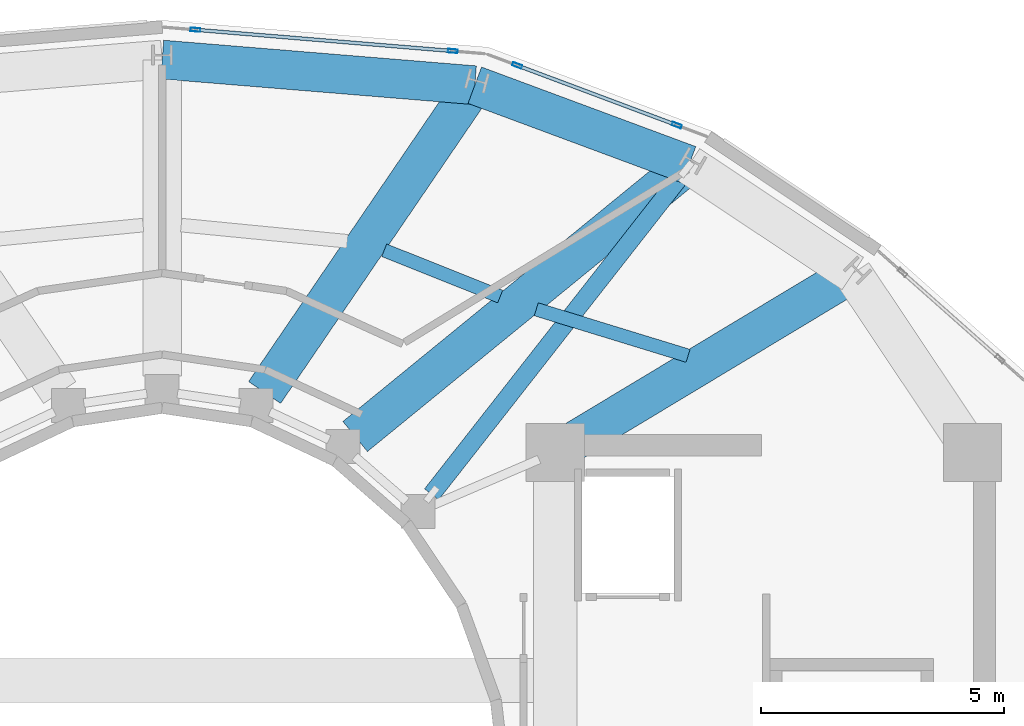
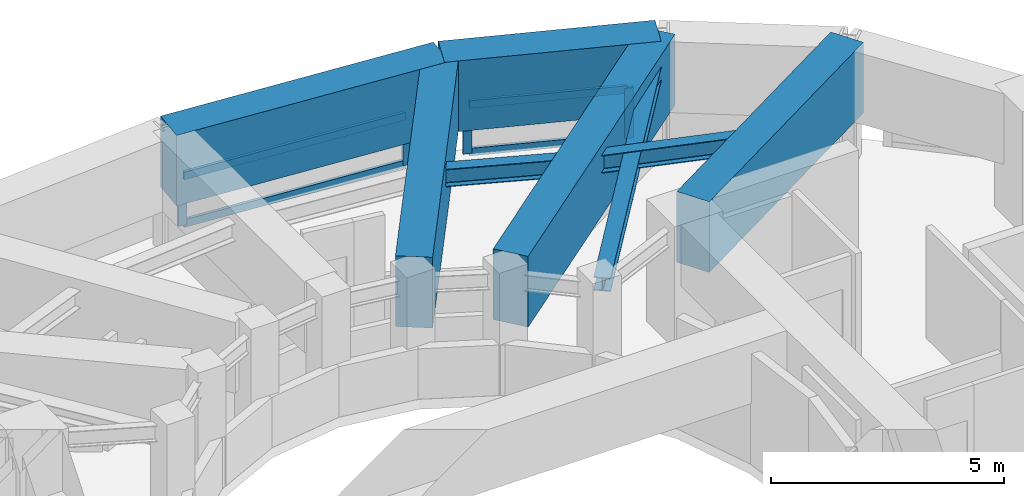
# One storey, part 10 of 18: 9 members, 7 beams, 2 elements without a shape of their own.
"""IFC4 building model written with IfcOpenShell, lengths in metres."""

from ifc_helpers import new_model, si_unit, direction, frame, origin, origin_2d, place, context, subcontext, project, spatial, rectangle, hollow_rectangle, i_section, extrude, material, layer, layer_set, material_profile, profile_set, type_object, element, aggregate, save


model = new_model("IFC4")

# Units and contexts
model_context = context("Model", 3, precision=1e-05, world=origin(), true_north=direction((0.0, 1.0)))
body_context = subcontext(model_context, "Body", "Model", "MODEL_VIEW")
ifc_project = project(units=[si_unit("LENGTHUNIT", "METRE"), si_unit("AREAUNIT", "SQUARE_METRE"), si_unit("VOLUMEUNIT", "CUBIC_METRE"), si_unit("PLANEANGLEUNIT", "RADIAN"), si_unit("MASSUNIT", "GRAM", prefix="KILO")], contexts=[model_context])

# Site, building, storey
site_placement = place(None, origin())
site = spatial("IfcSite", under=ifc_project, at=site_placement, CompositionType="ELEMENT")
building_placement = place(site_placement, origin())
building = spatial("IfcBuilding", under=site, at=building_placement, Name="Solvane Sanctuary Tower", CompositionType="ELEMENT")
storey_placement = place(building_placement, frame((0.0, 0.0, 263.60009765625)))
storey = spatial("IfcBuildingStorey", under=building, at=storey_placement, Name="L80", CompositionType="ELEMENT", Elevation=263.60009765625)

# Beams
ifc_material_1 = material(Name="Steel ASTM A992 Grade 50", Category="steel")
ifc_material_profile_1 = material_profile(ifc_material_1, i_section(OverallWidth=0.280029296875, OverallDepth=0.462890625, WebThickness=0.0107421875, FlangeThickness=0.017333984375, FilletRadius=0.013916015625, at=origin_2d()), Name="W18X76")
ifc_profile_set_1 = profile_set([ifc_material_profile_1], Name="Steel ASTM A992 Grade 50")
beam_type_1 = type_object("IfcBeamType", Name="Beam B-SEC-JOIST W18X76", PredefinedType="JOIST", material=ifc_profile_set_1)
beam_1_placement = place(storey_placement, frame((36.57666015625, 34.367919921875, 2.706298828125), z_axis=(0.928646716037, -0.370965330987, 0.0), x_axis=(0.370965330987, 0.928646716037, 0.0)))
element("IfcBeam", 1, at=beam_1_placement, inside=storey, type_object=beam_type_1, Name="L80 Secondary Circumferential Joist 03-02", PredefinedType="JOIST", context=body_context, shape_type="SweptSolid", body=[
    extrude(i_section(OverallWidth=0.280029296875, OverallDepth=0.462890625, WebThickness=0.0107421875, FlangeThickness=0.017333984375, FilletRadius=0.013916015625, at=origin_2d()), origin(), (0.0, 0.0, 1.0), 2.5732421875),
])
beam_2_placement = place(storey_placement, frame((39.710693359375, 33.151123046875, 2.706298828125), z_axis=(0.956067313295, -0.293147219755, 0.0), x_axis=(0.293147219755, 0.956067313295, 0.0)))
element("IfcBeam", 2, at=beam_2_placement, inside=storey, type_object=beam_type_1, Name="L80 Secondary Circumferential Joist 02-01", PredefinedType="JOIST", context=body_context, shape_type="SweptSolid", body=[
    extrude(i_section(OverallWidth=0.280029296875, OverallDepth=0.462890625, WebThickness=0.0107421875, FlangeThickness=0.017333984375, FilletRadius=0.013916015625, at=origin_2d()), origin(), (0.0, 0.0, 1.0), 3.272216796875),
])
ifc_material_2 = material(Name="Concrete C70/85", Category="concrete")
ifc_material_profile_2 = material_profile(ifc_material_2, rectangle(XDim=0.800048828125, YDim=1.85009765625, at=origin_2d()), Name="RC800X1850")
ifc_profile_set_2 = profile_set([ifc_material_profile_2], Name="Concrete C70/85")
beam_type_2 = type_object("IfcBeamType", Name="Beam B-XFER-BLK RC800X1850", PredefinedType="BEAM", material=ifc_profile_set_2)
beam_3_placement = place(storey_placement, frame((40.408447265625, 30.3857421875, 2.27490234375), z_axis=(0.856761950068, 0.515712091108, 0.0), x_axis=(-0.515712091108, 0.856761950068, 0.0)))
element("IfcBeam", 3, at=beam_3_placement, inside=storey, type_object=beam_type_2, Name="L80 Block-Shift Radial Transfer Girder 01A", PredefinedType="BEAM", context=body_context, shape_type="SweptSolid", body=[
    extrude(rectangle(XDim=0.800048828125, YDim=1.85009765625, at=origin_2d()), origin(), (0.0, 0.0, 1.0), 6.815673828125),
])
beam_4_placement = place(storey_placement, frame((35.977783203125, 30.52880859375, 2.27490234375), z_axis=(0.774760127624, 0.632255284394, 0.0), x_axis=(-0.632255284394, 0.774760127624, 0.0)))
element("IfcBeam", 4, at=beam_4_placement, inside=storey, type_object=beam_type_2, Name="L80 Block-Shift Radial Transfer Girder 02A", PredefinedType="BEAM", context=body_context, shape_type="SweptSolid", body=[
    extrude(rectangle(XDim=0.800048828125, YDim=1.85009765625, at=origin_2d()), origin(), (0.0, 0.0, 1.0), 8.88134765625),
])
beam_5_placement = place(storey_placement, frame((34.111083984375, 31.43603515625, 2.27490234375), z_axis=(0.563314112338, 0.826242828012, 0.0), x_axis=(-0.826242828012, 0.563314112338, 0.0)))
element("IfcBeam", 5, at=beam_5_placement, inside=storey, type_object=beam_type_2, Name="L80 Block-Shift Radial Transfer Girder 03A", PredefinedType="BEAM", context=body_context, shape_type="SweptSolid", body=[
    extrude(rectangle(XDim=0.800048828125, YDim=1.85009765625, at=origin_2d()), origin(), (0.0, 0.0, 1.0), 7.671630859375),
])
beam_6_placement = place(storey_placement, frame((32.0, 38.298095703125, 2.27490234375), z_axis=(0.996652479026, -0.081754731068, 0.0), x_axis=(0.081754731068, 0.996652479026, 0.0)))
element("IfcBeam", 6, at=beam_6_placement, inside=storey, type_object=beam_type_2, Name="L80 Perimeter Step Transfer Ring NTC04-NTC03", PredefinedType="BEAM", context=body_context, shape_type="SweptSolid", body=[
    extrude(rectangle(XDim=0.800048828125, YDim=1.85009765625, at=origin_2d()), origin(), (0.0, 0.0, 1.0), 6.46533203125),
])
beam_7_placement = place(storey_placement, frame((38.443603515625, 37.76953125, 2.27490234375), z_axis=(0.937427688281, -0.348180024188, 0.0), x_axis=(0.348180024188, 0.937427688281, 0.0)))
element("IfcBeam", 7, at=beam_7_placement, inside=storey, type_object=beam_type_2, Name="L80 Perimeter Step Transfer Ring NTC03-NTC02", PredefinedType="BEAM", context=body_context, shape_type="SweptSolid", body=[
    extrude(rectangle(XDim=0.800048828125, YDim=1.85009765625, at=origin_2d()), origin(), (0.0, 0.0, 1.0), 4.711181640625),
])

# Member
ifc_material_profile_3 = material_profile(ifc_material_1, i_section(OverallWidth=0.368896484375, OverallDepth=0.35595703125, WebThickness=0.01123046875, FlangeThickness=0.01806640625, FilletRadius=0.02490234375, at=origin_2d()), Name="W14X90")
ifc_profile_set_3 = profile_set([ifc_material_profile_3], Name="Steel ASTM A992 Grade 50")
member_type_1 = type_object("IfcMemberType", Name="Member M-CROWN-TIE W14X90", PredefinedType="CHORD", material=ifc_profile_set_3)
member_1_placement = place(storey_placement, frame((37.555419921875, 29.33984375, 2.540283203125), z_axis=(0.61657715967, 0.786962266432, 0.022869136088), x_axis=(-0.787168136792, 0.616738457062, 0.0)))
element("IfcMember", 8, at=member_1_placement, inside=storey, type_object=member_type_1, Name="L80 Crown Bracing Tie 01", PredefinedType="CHORD", context=body_context, shape_type="SweptSolid", body=[
    extrude(i_section(OverallWidth=0.368896484375, OverallDepth=0.35595703125, WebThickness=0.01123046875, FlangeThickness=0.01806640625, FilletRadius=0.02490234375, at=origin_2d()), origin(), (0.0, 0.0, 1.0), 8.50830078125),
])

# Curtain wall, members
ifc_material_3 = material(Name="Anodised Aluminium 6063-T6", Category="aluminium")
ifc_layer = layer(ifc_material_3, 0.219970703125, Name="Anodised Aluminium 6063-T6")
ifc_layer_set = layer_set([ifc_layer], Name="Anodised Aluminium 6063-T6")
curtain_wall_type = type_object("IfcCurtainWallType", Name="Curtain Wall CW-CROWN", PredefinedType="NOTDEFINED", material=ifc_layer_set)
curtain_wall_1_placement = place(storey_placement, origin())
curtain_wall_1 = element("IfcCurtainWall", 9, at=curtain_wall_1_placement, inside=storey, type_object=curtain_wall_type, Name="L80 Crown Fritted Lantern Curtain Wall 04", PredefinedType="NOTDEFINED")
ifc_material_profile_4 = material_profile(ifc_material_3, hollow_rectangle(XDim=0.074951171875, YDim=0.199951171875, WallThickness=0.00390625, at=origin_2d()), Name="ALU200X75X4")
ifc_profile_set_4 = profile_set([ifc_material_profile_4], Name="Anodised Aluminium 6063-T6")
member_type_2 = type_object("IfcMemberType", Name="Member M-CW-MUL-1 ALU200X75X4", PredefinedType="MULLION", material=ifc_profile_set_4)
member_2_placement = place(storey_placement, frame((42.607177734375, 36.946044921875, 0.0), z_axis=(0.0, 0.0, 1.0), x_axis=(-0.350518151106, -0.936555938396, 0.0)))
member_2 = element("IfcMember", 10, at=member_2_placement, type_object=member_type_2, Name="CW-CROWN mullion 1", PredefinedType="MULLION", context=body_context, shape_type="SweptSolid", body=[
    extrude(hollow_rectangle(XDim=0.074951171875, YDim=0.199951171875, WallThickness=0.00390625, at=origin_2d()), origin(), (0.0, 0.0, 1.0), 1.31982421875),
])
member_3_placement = place(storey_placement, frame((39.319580078125, 38.17626953125, 0.0), z_axis=(0.0, 0.0, 1.0), x_axis=(-0.350518151106, -0.936555938396, 0.0)))
member_3 = element("IfcMember", 11, at=member_3_placement, type_object=member_type_2, Name="CW-CROWN mullion 2", PredefinedType="MULLION", context=body_context, shape_type="SweptSolid", body=[
    extrude(hollow_rectangle(XDim=0.074951171875, YDim=0.199951171875, WallThickness=0.00390625, at=origin_2d()), origin(), (0.0, 0.0, 1.0), 1.31982421875),
])

curtain_wall_2_placement = place(storey_placement, origin())
curtain_wall_2 = element("IfcCurtainWall", 12, at=curtain_wall_2_placement, inside=storey, type_object=curtain_wall_type, Name="L80 Crown Fritted Lantern Curtain Wall 05", PredefinedType="NOTDEFINED")
member_4_placement = place(storey_placement, frame((37.990478515625, 38.473876953125, 0.0), z_axis=(0.0, 0.0, 1.0), x_axis=(-0.082375536663, -0.996601360103, 0.0)))
member_4 = element("IfcMember", 13, at=member_4_placement, type_object=member_type_2, Name="CW-CROWN mullion 1", PredefinedType="MULLION", context=body_context, shape_type="SweptSolid", body=[
    extrude(hollow_rectangle(XDim=0.074951171875, YDim=0.199951171875, WallThickness=0.00390625, at=origin_2d()), origin(), (0.0, 0.0, 1.0), 1.31982421875),
])
member_5_placement = place(storey_placement, frame((32.68505859375, 38.912353515625, 0.0), z_axis=(0.0, 0.0, 1.0), x_axis=(-0.082375536663, -0.996601360103, 0.0)))
member_5 = element("IfcMember", 14, at=member_5_placement, type_object=member_type_2, Name="CW-CROWN mullion 2", PredefinedType="MULLION", context=body_context, shape_type="SweptSolid", body=[
    extrude(hollow_rectangle(XDim=0.074951171875, YDim=0.199951171875, WallThickness=0.00390625, at=origin_2d()), origin(), (0.0, 0.0, 1.0), 1.31982421875),
])

# Member
ifc_material_profile_5 = material_profile(ifc_material_3, hollow_rectangle(XDim=0.074951171875, YDim=0.199951171875, WallThickness=0.00390625, at=origin_2d()), Name="ALU200X75X4")
ifc_profile_set_5 = profile_set([ifc_material_profile_5], Name="Anodised Aluminium 6063-T6")
member_type_3 = type_object("IfcMemberType", Name="Member M-CW-TRN-2 ALU200X75X4", PredefinedType="USERDEFINED", material=ifc_profile_set_5)
member_6_placement = place(storey_placement, frame((42.572021484375, 36.958984375, 0.037353515625), z_axis=(-0.936533460905, 0.350578203266, 0.0), x_axis=(-0.350578203266, -0.936533460905, 0.0)))
member_6 = element("IfcMember", 15, at=member_6_placement, type_object=member_type_3, Name="CW-CROWN transom 1.1", ObjectType="TRANSOM", PredefinedType="USERDEFINED", context=body_context, shape_type="SweptSolid", body=[
    extrude(hollow_rectangle(XDim=0.074951171875, YDim=0.199951171875, WallThickness=0.00390625, at=origin_2d()), origin(), (0.0, 0.0, 1.0), 3.435302734375),
])

member_7_placement = place(storey_placement, frame((42.572021484375, 36.958984375, 1.282470703125), z_axis=(-0.936533460905, 0.350578203266, 0.0), x_axis=(-0.350578203266, -0.936533460905, 0.0)))
member_7 = element("IfcMember", 16, at=member_7_placement, type_object=member_type_3, Name="CW-CROWN transom 1.2", ObjectType="TRANSOM", PredefinedType="USERDEFINED", context=body_context, shape_type="SweptSolid", body=[
    extrude(hollow_rectangle(XDim=0.074951171875, YDim=0.199951171875, WallThickness=0.00390625, at=origin_2d()), origin(), (0.0, 0.0, 1.0), 3.435302734375),
])

aggregate(curtain_wall_1, [member_2, member_3, member_6, member_7])

member_8_placement = place(storey_placement, frame((37.953125, 38.47705078125, 0.037353515625), z_axis=(-0.996600718179, 0.08238330246, 0.0), x_axis=(-0.08238330246, -0.996600718179, 0.0)))
member_8 = element("IfcMember", 17, at=member_8_placement, type_object=member_type_3, Name="CW-CROWN transom 1.1", ObjectType="TRANSOM", PredefinedType="USERDEFINED", context=body_context, shape_type="SweptSolid", body=[
    extrude(hollow_rectangle(XDim=0.074951171875, YDim=0.199951171875, WallThickness=0.00390625, at=origin_2d()), origin(), (0.0, 0.0, 1.0), 5.248291015625),
])

member_9_placement = place(storey_placement, frame((37.953125, 38.47705078125, 1.282470703125), z_axis=(-0.996600718179, 0.08238330246, 0.0), x_axis=(-0.08238330246, -0.996600718179, 0.0)))
member_9 = element("IfcMember", 18, at=member_9_placement, type_object=member_type_3, Name="CW-CROWN transom 1.2", ObjectType="TRANSOM", PredefinedType="USERDEFINED", context=body_context, shape_type="SweptSolid", body=[
    extrude(hollow_rectangle(XDim=0.074951171875, YDim=0.199951171875, WallThickness=0.00390625, at=origin_2d()), origin(), (0.0, 0.0, 1.0), 5.248291015625),
])

aggregate(curtain_wall_2, [member_4, member_5, member_8, member_9])

save(model, "model.ifc")
